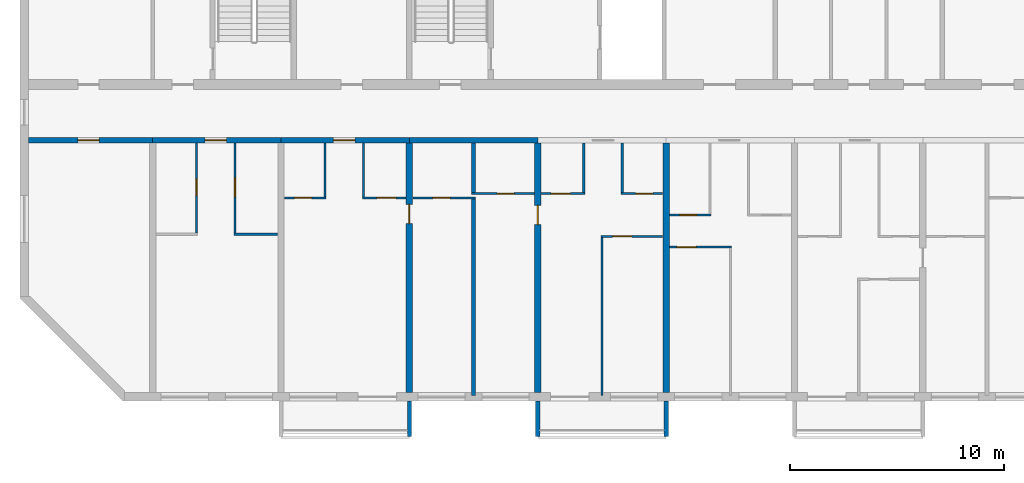
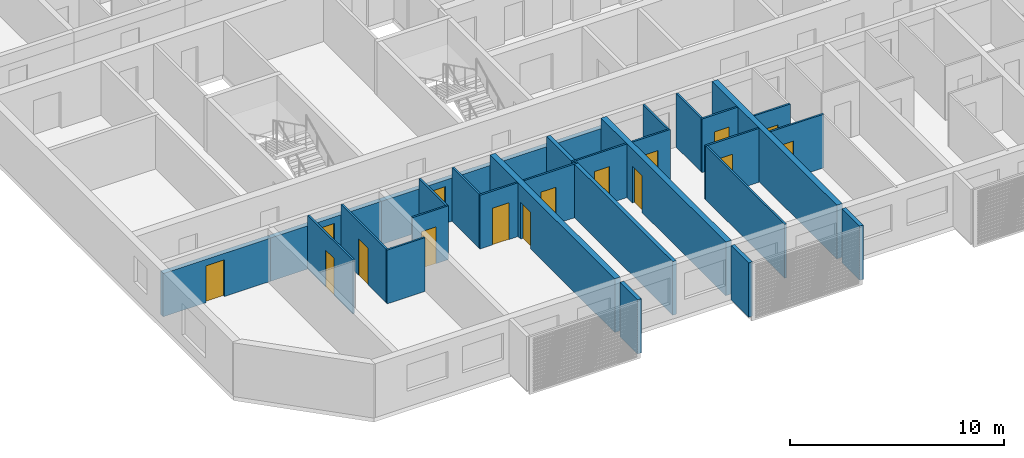
# One storey, part 2 of 33: 29 walls, 16 doors, 16 openings.
"""IFC4 building model written with IfcOpenShell, lengths in metres."""

from ifc_helpers import new_model, si_unit, direction, frame, frame_2d, origin, place, context, subcontext, project, spatial, polyline, rectangle, outline, extrude, source, transform, mapped, material, layer, layer_set, type_object, element, fill, save


model = new_model("IFC4")

# Units and contexts
model_context = context("Model", 3, precision=1e-05, world=origin(), true_north=direction((0.0, 1.0)))
body_context = subcontext(model_context, "Body", "Model", "MODEL_VIEW")
ifc_project = project(units=[si_unit("LENGTHUNIT", "METRE"), si_unit("AREAUNIT", "SQUARE_METRE"), si_unit("VOLUMEUNIT", "CUBIC_METRE"), si_unit("PLANEANGLEUNIT", "RADIAN"), si_unit("MASSUNIT", "GRAM", prefix="KILO")], contexts=[model_context])

# Site, building, storey
site_placement = place(None, origin())
site = spatial("IfcSite", under=ifc_project, at=site_placement, CompositionType="ELEMENT")
building_placement = place(site_placement, origin())
building = spatial("IfcBuilding", under=site, at=building_placement, Name="Poui Terraces", CompositionType="ELEMENT")
storey_placement = place(building_placement, frame((0.0, 0.0, 138.89990234375)))
storey = spatial("IfcBuildingStorey", under=building, at=storey_placement, Name="L38", CompositionType="ELEMENT", Elevation=138.89990234375)

# Wall, opening, door
ifc_material_1 = material(Name="Concrete 65 MPa", Category="concrete")
ifc_layer_1 = layer(ifc_material_1, 0.25)
ifc_layer_set_1 = layer_set([ifc_layer_1], Name="Concrete 65 MPa")
wall_type_1 = type_object("IfcWallType", Name="CORRIDOR WALL 250 65MPa", PredefinedType="SHEAR", material=ifc_layer_set_1)
wall_1_placement = place(storey_placement, frame((12.199951171875, 12.0, 0.0), z_axis=(0.0, 0.0, 1.0), x_axis=(1.0, 0.0, 0.0)))
wall_1 = element("IfcWall", 1, at=wall_1_placement, inside=storey, type_object=wall_type_1, Name="CORRIDOR WALL LINE B BAY 1", PredefinedType="SHEAR", context=body_context, shape_type="SweptSolid", body=[
    extrude(rectangle(XDim=5.800048828125, YDim=0.25, at=frame_2d((2.89990234375, 0.0))), origin(), (0.0, 0.0, 1.0), 2.47021484375),
])
opening_1_placement = place(wall_1_placement, frame((2.300048828125, 0.0, 0.0)))
opening_1 = element("IfcOpeningElement", 2, at=opening_1_placement, cuts=wall_1, Name="Opening D100", PredefinedType="OPENING", context=body_context, shape_type="SweptSolid", body=[
    extrude(rectangle(XDim=1.0, YDim=2.10009765625, at=frame_2d((0.5, 1.050048828125))), frame((0.0, 0.135009765625, 0.0), z_axis=(0.0, -1.0, 0.0), x_axis=(1.0, 0.0, 0.0)), (0.0, 0.0, 1.0), 0.27001953125),
])
ifc_material_2 = material(Name="Solid core timber door", Category="wood")
door_type_1 = type_object("IfcDoorType", Name="ACCESSIBLE INTERNAL DOOR 1000 X 2100", OperationType="NOTDEFINED", PredefinedType="DOOR", material=ifc_material_2)
door_1_placement = place(opening_1_placement, frame((1.0, 0.0, 0.0), z_axis=(0.0, 0.0, 1.0), x_axis=(-1.0, 0.0, 0.0)))
door_1 = element("IfcDoor", 3, at=door_1_placement, inside=storey, type_object=door_type_1, Name="ACCESSIBLE INTERNAL DOOR 074", OperationType="SINGLE_SWING_RIGHT", OverallHeight=2.10009765625, OverallWidth=1.0, PredefinedType="DOOR", context=body_context, shape_type="SweptSolid", body=[
    extrude(rectangle(XDim=1.0, YDim=2.10009765625, at=frame_2d((0.5, 1.050048828125))), frame((0.0, 0.02490234375, 0.0), z_axis=(0.0, -1.0, 0.0), x_axis=(1.0, 0.0, 0.0)), (0.0, 0.0, 1.0), 0.050048828125),
])
fill(opening_1, door_1)

wall_2_placement = place(storey_placement, frame((18.0, 12.0, 0.0), z_axis=(0.0, 0.0, 1.0), x_axis=(1.0, 0.0, 0.0)))
wall_2 = element("IfcWall", 4, at=wall_2_placement, inside=storey, type_object=wall_type_1, Name="CORRIDOR WALL LINE B BAY 2", PredefinedType="SHEAR", context=body_context, shape_type="SweptSolid", body=[
    extrude(rectangle(XDim=6.0, YDim=0.25, at=frame_2d((3.0, 0.0))), origin(), (0.0, 0.0, 1.0), 2.47021484375),
])
opening_2_placement = place(wall_2_placement, frame((2.449951171875, 0.0, 0.0)))
opening_2 = element("IfcOpeningElement", 5, at=opening_2_placement, cuts=wall_2, Name="Opening FD30S", PredefinedType="OPENING", context=body_context, shape_type="SweptSolid", body=[
    extrude(rectangle(XDim=1.0, YDim=2.10009765625, at=frame_2d((0.5, 1.050048828125))), frame((0.0, 0.135009765625, 0.0), z_axis=(0.0, -1.0, 0.0), x_axis=(1.0, 0.0, 0.0)), (0.0, 0.0, 1.0), 0.27001953125),
])
ifc_material_3 = material(Name="Steel fire door", Category="steel")
door_type_2 = type_object("IfcDoorType", Name="FLAT ENTRANCE DOOR 1000 X 2100", OperationType="NOTDEFINED", PredefinedType="DOOR", material=ifc_material_3)
door_2_placement = place(opening_2_placement, frame((1.0, 0.0, 0.0), z_axis=(0.0, 0.0, 1.0), x_axis=(-1.0, 0.0, 0.0)))
door_2 = element("IfcDoor", 6, at=door_2_placement, inside=storey, type_object=door_type_2, Name="FLAT ENTRANCE DOOR 076", OperationType="SINGLE_SWING_RIGHT", OverallHeight=2.10009765625, OverallWidth=1.0, PredefinedType="DOOR", context=body_context, shape_type="SweptSolid", body=[
    extrude(rectangle(XDim=1.0, YDim=2.10009765625, at=frame_2d((0.5, 1.050048828125))), frame((0.0, 0.02490234375, 0.0), z_axis=(0.0, -1.0, 0.0), x_axis=(1.0, 0.0, 0.0)), (0.0, 0.0, 1.0), 0.050048828125),
])
fill(opening_2, door_2)

wall_3_placement = place(storey_placement, frame((24.0, 12.0, 0.0), z_axis=(0.0, 0.0, 1.0), x_axis=(1.0, 0.0, 0.0)))
wall_3 = element("IfcWall", 7, at=wall_3_placement, inside=storey, type_object=wall_type_1, Name="CORRIDOR WALL LINE B BAY 3", PredefinedType="SHEAR", context=body_context, shape_type="SweptSolid", body=[
    extrude(rectangle(XDim=6.0, YDim=0.25, at=frame_2d((3.0, 0.0))), origin(), (0.0, 0.0, 1.0), 2.47021484375),
])
opening_3_placement = place(wall_3_placement, frame((2.449951171875, 0.0, 0.0)))
opening_3 = element("IfcOpeningElement", 8, at=opening_3_placement, cuts=wall_3, Name="Opening FD30S", PredefinedType="OPENING", context=body_context, shape_type="SweptSolid", body=[
    extrude(rectangle(XDim=1.0, YDim=2.10009765625, at=frame_2d((0.5, 1.050048828125))), frame((0.0, 0.135009765625, 0.0), z_axis=(0.0, -1.0, 0.0), x_axis=(1.0, 0.0, 0.0)), (0.0, 0.0, 1.0), 0.27001953125),
])
door_3_placement = place(opening_3_placement, frame((1.0, 0.0, 0.0), z_axis=(0.0, 0.0, 1.0), x_axis=(-1.0, 0.0, 0.0)))
door_3 = element("IfcDoor", 9, at=door_3_placement, inside=storey, type_object=door_type_2, Name="FLAT ENTRANCE DOOR 080", OperationType="SINGLE_SWING_RIGHT", OverallHeight=2.10009765625, OverallWidth=1.0, PredefinedType="DOOR", context=body_context, shape_type="SweptSolid", body=[
    extrude(rectangle(XDim=1.0, YDim=2.10009765625, at=frame_2d((0.5, 1.050048828125))), frame((0.0, 0.02490234375, 0.0), z_axis=(0.0, -1.0, 0.0), x_axis=(1.0, 0.0, 0.0)), (0.0, 0.0, 1.0), 0.050048828125),
])
fill(opening_3, door_3)

# Wall
wall_4_placement = place(storey_placement, frame((30.0, 12.0, 0.0), z_axis=(0.0, 0.0, 1.0), x_axis=(1.0, 0.0, 0.0)))
element("IfcWall", 10, at=wall_4_placement, inside=storey, type_object=wall_type_1, Name="CORRIDOR WALL LINE B BAY 4", PredefinedType="SHEAR", context=body_context, shape_type="SweptSolid", body=[
    extrude(rectangle(XDim=6.0, YDim=0.25, at=frame_2d((3.0, 0.0))), origin(), (0.0, 0.0, 1.0), 2.47021484375),
])

# Wall, opening, door
ifc_layer_2 = layer(ifc_material_1, 0.300048828125)
ifc_layer_set_2 = layer_set([ifc_layer_2], Name="Concrete 65 MPa")
wall_type_2 = type_object("IfcWallType", Name="CROSS WALL 300 65MPa", PredefinedType="SHEAR", material=ifc_layer_set_2)
wall_5_placement = place(storey_placement, frame((30.0, 0.199951171875, 0.0), z_axis=(0.0, 0.0, 1.0), x_axis=(0.0, 1.0, 0.0)))
wall_5 = element("IfcWall", 11, at=wall_5_placement, inside=storey, type_object=wall_type_2, Name="CROSS WALL LINE 6 SOUTH", PredefinedType="SHEAR", context=body_context, shape_type="SweptSolid", body=[
    extrude(rectangle(XDim=11.675048828125, YDim=0.300048828125, at=frame_2d((5.83740234375, 0.0))), origin(), (0.0, 0.0, 1.0), 3.070068359375),
])
opening_4_placement = place(wall_5_placement, frame((7.89990234375, 0.0, 0.0)))
opening_4 = element("IfcOpeningElement", 12, at=opening_4_placement, cuts=wall_5, Name="Opening D90", PredefinedType="OPENING", context=body_context, shape_type="SweptSolid", body=[
    extrude(rectangle(XDim=0.89990234375, YDim=2.10009765625, at=frame_2d((0.449951171875, 1.050048828125))), frame((0.0, 0.16015625, 0.0), z_axis=(0.0, -1.0, 0.0), x_axis=(1.0, 0.0, 0.0)), (0.0, 0.0, 1.0), 0.320068359375),
])
door_type_3 = type_object("IfcDoorType", Name="INTERNAL DOOR 900 X 2100", OperationType="NOTDEFINED", PredefinedType="DOOR", material=ifc_material_2)
door_4_placement = place(opening_4_placement, frame((0.89990234375, 0.0, 0.0), z_axis=(0.0, 0.0, 1.0), x_axis=(-1.0, 0.0, 0.0)))
door_4 = element("IfcDoor", 13, at=door_4_placement, inside=storey, type_object=door_type_3, Name="INTERNAL DOOR 082", OperationType="SINGLE_SWING_LEFT", OverallHeight=2.10009765625, OverallWidth=0.89990234375, PredefinedType="DOOR", context=body_context, shape_type="SweptSolid", body=[
    extrude(rectangle(XDim=0.89990234375, YDim=2.10009765625, at=frame_2d((0.449951171875, 1.050048828125))), frame((0.0, 0.02490234375, 0.0), z_axis=(0.0, -1.0, 0.0), x_axis=(1.0, 0.0, 0.0)), (0.0, 0.0, 1.0), 0.050048828125),
])
fill(opening_4, door_4)

wall_6_placement = place(storey_placement, frame((36.0, 0.199951171875, 0.0), z_axis=(0.0, 0.0, 1.0), x_axis=(0.0, 1.0, 0.0)))
wall_6 = element("IfcWall", 14, at=wall_6_placement, inside=storey, type_object=wall_type_2, Name="CROSS WALL LINE 7 SOUTH", PredefinedType="SHEAR", context=body_context, shape_type="SweptSolid", body=[
    extrude(rectangle(XDim=11.675048828125, YDim=0.300048828125, at=frame_2d((5.83740234375, 0.0))), origin(), (0.0, 0.0, 1.0), 3.070068359375),
])
opening_5_placement = place(wall_6_placement, frame((7.85009765625, 0.0, 0.0)))
opening_5 = element("IfcOpeningElement", 15, at=opening_5_placement, cuts=wall_6, Name="Opening D90", PredefinedType="OPENING", context=body_context, shape_type="SweptSolid", body=[
    extrude(rectangle(XDim=0.89990234375, YDim=2.10009765625, at=frame_2d((0.449951171875, 1.050048828125))), frame((0.0, 0.16015625, 0.0), z_axis=(0.0, -1.0, 0.0), x_axis=(1.0, 0.0, 0.0)), (0.0, 0.0, 1.0), 0.320068359375),
])
door_5_placement = place(opening_5_placement, origin())
door_5 = element("IfcDoor", 16, at=door_5_placement, inside=storey, type_object=door_type_3, Name="INTERNAL DOOR 084", OperationType="SINGLE_SWING_RIGHT", OverallHeight=2.10009765625, OverallWidth=0.89990234375, PredefinedType="DOOR", context=body_context, shape_type="SweptSolid", body=[
    extrude(rectangle(XDim=0.89990234375, YDim=2.10009765625, at=frame_2d((0.449951171875, 1.050048828125))), frame((0.0, 0.02490234375, 0.0), z_axis=(0.0, -1.0, 0.0), x_axis=(1.0, 0.0, 0.0)), (0.0, 0.0, 1.0), 0.050048828125),
])
fill(opening_5, door_5)

# Wall
wall_7_placement = place(storey_placement, frame((42.0, 0.199951171875, 0.0), z_axis=(0.0, 0.0, 1.0), x_axis=(0.0, 1.0, 0.0)))
element("IfcWall", 17, at=wall_7_placement, inside=storey, type_object=wall_type_2, Name="CROSS WALL LINE 8 SOUTH", PredefinedType="SHEAR", context=body_context, shape_type="SweptSolid", body=[
    extrude(rectangle(XDim=11.675048828125, YDim=0.300048828125, at=frame_2d((5.83740234375, 0.0))), origin(), (0.0, 0.0, 1.0), 3.070068359375),
])

# Wall, opening, door
ifc_material_4 = material(Name="Plasterboard partition")
ifc_layer_3 = layer(ifc_material_4, 0.10009765625)
ifc_layer_set_3 = layer_set([ifc_layer_3], Name="Plasterboard partition")
wall_type_3 = type_object("IfcWallType", Name="FLAT PARTITION 100", PredefinedType="PARTITIONING", material=ifc_layer_set_3)
wall_8_placement = place(storey_placement, frame((42.159912109375, 7.0, 0.0), z_axis=(0.0, 0.0, 1.0), x_axis=(1.0, 0.0, 0.0)))
wall_8 = element("IfcWall", 18, at=wall_8_placement, inside=storey, type_object=wall_type_3, Name="FLAT PARTITION 100", PredefinedType="PARTITIONING", context=body_context, shape_type="SweptSolid", body=[
    extrude(rectangle(XDim=2.89013671875, YDim=0.10009765625, at=frame_2d((1.445068359375, 0.0))), origin(), (0.0, 0.0, 1.0), 3.070068359375),
])
opening_6_placement = place(wall_8_placement, frame((0.340087890625, 0.0, 0.0)))
opening_6 = element("IfcOpeningElement", 19, at=opening_6_placement, cuts=wall_8, Name="Opening D90", PredefinedType="OPENING", context=body_context, shape_type="SweptSolid", body=[
    extrude(rectangle(XDim=0.89990234375, YDim=2.10009765625, at=frame_2d((0.449951171875, 1.050048828125))), frame((0.0, 0.06005859375, 0.0), z_axis=(0.0, -1.0, 0.0), x_axis=(1.0, 0.0, 0.0)), (0.0, 0.0, 1.0), 0.1201171875),
])
door_6_placement = place(opening_6_placement, origin())
door_6 = element("IfcDoor", 20, at=door_6_placement, inside=storey, type_object=door_type_3, Name="INTERNAL DOOR 089", OperationType="SINGLE_SWING_RIGHT", OverallHeight=2.10009765625, OverallWidth=0.89990234375, PredefinedType="DOOR", context=body_context, shape_type="SweptSolid", body=[
    extrude(rectangle(XDim=0.89990234375, YDim=2.10009765625, at=frame_2d((0.449951171875, 1.050048828125))), frame((0.0, 0.02490234375, 0.0), z_axis=(0.0, -1.0, 0.0), x_axis=(1.0, 0.0, 0.0)), (0.0, 0.0, 1.0), 0.050048828125),
])
fill(opening_6, door_6)

wall_9_placement = place(storey_placement, frame((38.949951171875, 7.5, 0.0), z_axis=(0.0, 0.0, 1.0), x_axis=(1.0, 0.0, 0.0)))
wall_9 = element("IfcWall", 21, at=wall_9_placement, inside=storey, type_object=wall_type_3, Name="FLAT PARTITION 100", PredefinedType="PARTITIONING", context=body_context, shape_type="SweptSolid", body=[
    extrude(rectangle(XDim=2.89013671875, YDim=0.10009765625, at=frame_2d((1.445068359375, 0.0))), origin(), (0.0, 0.0, 1.0), 3.070068359375),
])
opening_7_placement = place(wall_9_placement, frame((0.550048828125, 0.0, 0.0)))
opening_7 = element("IfcOpeningElement", 22, at=opening_7_placement, cuts=wall_9, Name="Opening D90", PredefinedType="OPENING", context=body_context, shape_type="SweptSolid", body=[
    extrude(rectangle(XDim=0.89990234375, YDim=2.10009765625, at=frame_2d((0.449951171875, 1.050048828125))), frame((0.0, 0.06005859375, 0.0), z_axis=(0.0, -1.0, 0.0), x_axis=(1.0, 0.0, 0.0)), (0.0, 0.0, 1.0), 0.1201171875),
])
door_7_placement = place(opening_7_placement, origin())
door_7 = element("IfcDoor", 23, at=door_7_placement, inside=storey, type_object=door_type_3, Name="INTERNAL DOOR 087", OperationType="SINGLE_SWING_RIGHT", OverallHeight=2.10009765625, OverallWidth=0.89990234375, PredefinedType="DOOR", context=body_context, shape_type="SweptSolid", body=[
    extrude(rectangle(XDim=0.89990234375, YDim=2.10009765625, at=frame_2d((0.449951171875, 1.050048828125))), frame((0.0, 0.02490234375, 0.0), z_axis=(0.0, -1.0, 0.0), x_axis=(1.0, 0.0, 0.0)), (0.0, 0.0, 1.0), 0.050048828125),
])
fill(opening_7, door_7)

# Wall
wall_10_placement = place(storey_placement, frame((21.800048828125, 7.60009765625, 0.0), z_axis=(0.0, 0.0, 1.0), x_axis=(1.0, 0.0, 0.0)))
element("IfcWall", 24, at=wall_10_placement, inside=storey, type_object=wall_type_3, Name="FLAT PARTITION 100", PredefinedType="PARTITIONING", context=body_context, shape_type="SweptSolid", body=[
    extrude(rectangle(XDim=2.0400390625, YDim=0.10009765625, at=frame_2d((1.02001953125, 0.0))), origin(), (0.0, 0.0, 1.0), 3.070068359375),
])

# Wall, opening, door
wall_11_placement = place(storey_placement, frame((42.159912109375, 8.5, 0.0), z_axis=(0.0, 0.0, 1.0), x_axis=(1.0, 0.0, 0.0)))
wall_11 = element("IfcWall", 25, at=wall_11_placement, inside=storey, type_object=wall_type_3, Name="FLAT PARTITION 100", PredefinedType="PARTITIONING", context=body_context, shape_type="SweptSolid", body=[
    extrude(rectangle(XDim=1.940185546875, YDim=0.10009765625, at=frame_2d((0.97021484375, 0.0))), origin(), (0.0, 0.0, 1.0), 3.070068359375),
])
opening_8_placement = place(wall_11_placement, frame((0.465087890625, 0.0, 0.0)))
opening_8 = element("IfcOpeningElement", 26, at=opening_8_placement, cuts=wall_11, Name="Opening D80", PredefinedType="OPENING", context=body_context, shape_type="SweptSolid", body=[
    extrude(rectangle(XDim=0.800048828125, YDim=2.10009765625, at=frame_2d((0.39990234375, 1.050048828125))), frame((0.0, 0.06005859375, 0.0), z_axis=(0.0, -1.0, 0.0), x_axis=(1.0, 0.0, 0.0)), (0.0, 0.0, 1.0), 0.1201171875),
])
door_type_4 = type_object("IfcDoorType", Name="BATHROOM, LAUNDRY AND STORE DOOR 800 X 2100", OperationType="NOTDEFINED", PredefinedType="DOOR", material=ifc_material_2)
door_8_placement = place(opening_8_placement, origin())
door_8 = element("IfcDoor", 27, at=door_8_placement, inside=storey, type_object=door_type_4, Name="BATHROOM, LAUNDRY AND STORE DOOR 090", OperationType="SINGLE_SWING_LEFT", OverallHeight=2.10009765625, OverallWidth=0.800048828125, PredefinedType="DOOR", context=body_context, shape_type="SweptSolid", body=[
    extrude(rectangle(XDim=0.800048828125, YDim=2.10009765625, at=frame_2d((0.39990234375, 1.050048828125))), frame((0.0, 0.02490234375, 0.0), z_axis=(0.0, -1.0, 0.0), x_axis=(1.0, 0.0, 0.0)), (0.0, 0.0, 1.0), 0.050048828125),
])
fill(opening_8, door_8)

wall_12_placement = place(storey_placement, frame((24.159912109375, 9.300048828125, 0.0), z_axis=(0.0, 0.0, 1.0), x_axis=(1.0, 0.0, 0.0)))
wall_12 = element("IfcWall", 28, at=wall_12_placement, inside=storey, type_object=wall_type_3, Name="FLAT PARTITION 100", PredefinedType="PARTITIONING", context=body_context, shape_type="SweptSolid", body=[
    extrude(rectangle(XDim=1.940185546875, YDim=0.10009765625, at=frame_2d((0.97021484375, 0.0))), origin(), (0.0, 0.0, 1.0), 3.070068359375),
])
opening_9_placement = place(wall_12_placement, frame((0.465087890625, 0.0, 0.0)))
opening_9 = element("IfcOpeningElement", 29, at=opening_9_placement, cuts=wall_12, Name="Opening D80", PredefinedType="OPENING", context=body_context, shape_type="SweptSolid", body=[
    extrude(rectangle(XDim=0.800048828125, YDim=2.10009765625, at=frame_2d((0.39990234375, 1.050048828125))), frame((0.0, 0.06005859375, 0.0), z_axis=(0.0, -1.0, 0.0), x_axis=(1.0, 0.0, 0.0)), (0.0, 0.0, 1.0), 0.1201171875),
])
door_9_placement = place(opening_9_placement, origin())
door_9 = element("IfcDoor", 30, at=door_9_placement, inside=storey, type_object=door_type_4, Name="BATHROOM, LAUNDRY AND STORE DOOR 079", OperationType="SINGLE_SWING_RIGHT", OverallHeight=2.10009765625, OverallWidth=0.800048828125, PredefinedType="DOOR", context=body_context, shape_type="SweptSolid", body=[
    extrude(rectangle(XDim=0.800048828125, YDim=2.10009765625, at=frame_2d((0.39990234375, 1.050048828125))), frame((0.0, 0.02490234375, 0.0), z_axis=(0.0, -1.0, 0.0), x_axis=(1.0, 0.0, 0.0)), (0.0, 0.0, 1.0), 0.050048828125),
])
fill(opening_9, door_9)

wall_13_placement = place(storey_placement, frame((27.800048828125, 9.300048828125, 0.0), z_axis=(0.0, 0.0, 1.0), x_axis=(1.0, 0.0, 0.0)))
wall_13 = element("IfcWall", 31, at=wall_13_placement, inside=storey, type_object=wall_type_3, Name="FLAT PARTITION 100", PredefinedType="PARTITIONING", context=body_context, shape_type="SweptSolid", body=[
    extrude(rectangle(XDim=2.0400390625, YDim=0.10009765625, at=frame_2d((1.02001953125, 0.0))), origin(), (0.0, 0.0, 1.0), 3.070068359375),
])
opening_10_placement = place(wall_13_placement, frame((0.675048828125, 0.0, 0.0)))
opening_10 = element("IfcOpeningElement", 32, at=opening_10_placement, cuts=wall_13, Name="Opening D90", PredefinedType="OPENING", context=body_context, shape_type="SweptSolid", body=[
    extrude(rectangle(XDim=0.89990234375, YDim=2.10009765625, at=frame_2d((0.449951171875, 1.050048828125))), frame((0.0, 0.06005859375, 0.0), z_axis=(0.0, -1.0, 0.0), x_axis=(1.0, 0.0, 0.0)), (0.0, 0.0, 1.0), 0.1201171875),
])
door_10_placement = place(opening_10_placement, origin())
door_10 = element("IfcDoor", 33, at=door_10_placement, inside=storey, type_object=door_type_3, Name="INTERNAL DOOR 081", OperationType="SINGLE_SWING_LEFT", OverallHeight=2.10009765625, OverallWidth=0.89990234375, PredefinedType="DOOR", context=body_context, shape_type="SweptSolid", body=[
    extrude(rectangle(XDim=0.89990234375, YDim=2.10009765625, at=frame_2d((0.449951171875, 1.050048828125))), frame((0.0, 0.02490234375, 0.0), z_axis=(0.0, -1.0, 0.0), x_axis=(1.0, 0.0, 0.0)), (0.0, 0.0, 1.0), 0.050048828125),
])
fill(opening_10, door_10)

wall_14_placement = place(storey_placement, frame((30.159912109375, 9.300048828125, 0.0), z_axis=(0.0, 0.0, 1.0), x_axis=(1.0, 0.0, 0.0)))
wall_14 = element("IfcWall", 34, at=wall_14_placement, inside=storey, type_object=wall_type_3, Name="FLAT PARTITION 100", PredefinedType="PARTITIONING", context=body_context, shape_type="SweptSolid", body=[
    extrude(rectangle(XDim=2.940185546875, YDim=0.10009765625, at=frame_2d((1.47021484375, 0.0))), origin(), (0.0, 0.0, 1.0), 3.070068359375),
])
opening_11_placement = place(wall_14_placement, frame((0.93994140625, 0.0, 0.0)))
opening_11 = element("IfcOpeningElement", 35, at=opening_11_placement, cuts=wall_14, Name="Opening D80", PredefinedType="OPENING", context=body_context, shape_type="SweptSolid", body=[
    extrude(rectangle(XDim=0.800048828125, YDim=2.10009765625, at=frame_2d((0.39990234375, 1.050048828125))), frame((0.0, 0.06005859375, 0.0), z_axis=(0.0, -1.0, 0.0), x_axis=(1.0, 0.0, 0.0)), (0.0, 0.0, 1.0), 0.1201171875),
])
door_11_placement = place(opening_11_placement, origin())
door_11 = element("IfcDoor", 36, at=door_11_placement, inside=storey, type_object=door_type_4, Name="BATHROOM, LAUNDRY AND STORE DOOR 078", OperationType="SINGLE_SWING_LEFT", OverallHeight=2.10009765625, OverallWidth=0.800048828125, PredefinedType="DOOR", context=body_context, shape_type="SweptSolid", body=[
    extrude(rectangle(XDim=0.800048828125, YDim=2.10009765625, at=frame_2d((0.39990234375, 1.050048828125))), frame((0.0, 0.02490234375, 0.0), z_axis=(0.0, -1.0, 0.0), x_axis=(1.0, 0.0, 0.0)), (0.0, 0.0, 1.0), 0.050048828125),
])
fill(opening_11, door_11)

wall_15_placement = place(storey_placement, frame((32.89990234375, 9.5, 0.0), z_axis=(0.0, 0.0, 1.0), x_axis=(1.0, 0.0, 0.0)))
wall_15 = element("IfcWall", 37, at=wall_15_placement, inside=storey, type_object=wall_type_3, Name="FLAT PARTITION 100", PredefinedType="PARTITIONING", context=body_context, shape_type="SweptSolid", body=[
    extrude(rectangle(XDim=2.940185546875, YDim=0.10009765625, at=frame_2d((1.47021484375, 0.0))), origin(), (0.0, 0.0, 1.0), 3.070068359375),
])
opening_12_placement = place(wall_15_placement, frame((1.199951171875, 0.0, 0.0)))
opening_12 = element("IfcOpeningElement", 38, at=opening_12_placement, cuts=wall_15, Name="Opening D80", PredefinedType="OPENING", context=body_context, shape_type="SweptSolid", body=[
    extrude(rectangle(XDim=0.800048828125, YDim=2.10009765625, at=frame_2d((0.39990234375, 1.050048828125))), frame((0.0, 0.06005859375, 0.0), z_axis=(0.0, -1.0, 0.0), x_axis=(1.0, 0.0, 0.0)), (0.0, 0.0, 1.0), 0.1201171875),
])
door_12_placement = place(opening_12_placement, origin())
door_12 = element("IfcDoor", 39, at=door_12_placement, inside=storey, type_object=door_type_4, Name="BATHROOM, LAUNDRY AND STORE DOOR 083", OperationType="SINGLE_SWING_RIGHT", OverallHeight=2.10009765625, OverallWidth=0.800048828125, PredefinedType="DOOR", context=body_context, shape_type="SweptSolid", body=[
    extrude(rectangle(XDim=0.800048828125, YDim=2.10009765625, at=frame_2d((0.39990234375, 1.050048828125))), frame((0.0, 0.02490234375, 0.0), z_axis=(0.0, -1.0, 0.0), x_axis=(1.0, 0.0, 0.0)), (0.0, 0.0, 1.0), 0.050048828125),
])
fill(opening_12, door_12)

wall_16_placement = place(storey_placement, frame((36.159912109375, 9.5, 0.0), z_axis=(0.0, 0.0, 1.0), x_axis=(1.0, 0.0, 0.0)))
wall_16 = element("IfcWall", 40, at=wall_16_placement, inside=storey, type_object=wall_type_3, Name="FLAT PARTITION 100", PredefinedType="PARTITIONING", context=body_context, shape_type="SweptSolid", body=[
    extrude(rectangle(XDim=2.0400390625, YDim=0.10009765625, at=frame_2d((1.02001953125, 0.0))), origin(), (0.0, 0.0, 1.0), 3.070068359375),
])
opening_13_placement = place(wall_16_placement, frame((0.465087890625, 0.0, 0.0)))
opening_13 = element("IfcOpeningElement", 41, at=opening_13_placement, cuts=wall_16, Name="Opening D90", PredefinedType="OPENING", context=body_context, shape_type="SweptSolid", body=[
    extrude(rectangle(XDim=0.89990234375, YDim=2.10009765625, at=frame_2d((0.449951171875, 1.050048828125))), frame((0.0, 0.06005859375, 0.0), z_axis=(0.0, -1.0, 0.0), x_axis=(1.0, 0.0, 0.0)), (0.0, 0.0, 1.0), 0.1201171875),
])
door_13_placement = place(opening_13_placement, origin())
door_13 = element("IfcDoor", 42, at=door_13_placement, inside=storey, type_object=door_type_3, Name="INTERNAL DOOR 085", OperationType="SINGLE_SWING_RIGHT", OverallHeight=2.10009765625, OverallWidth=0.89990234375, PredefinedType="DOOR", context=body_context, shape_type="SweptSolid", body=[
    extrude(rectangle(XDim=0.89990234375, YDim=2.10009765625, at=frame_2d((0.449951171875, 1.050048828125))), frame((0.0, 0.02490234375, 0.0), z_axis=(0.0, -1.0, 0.0), x_axis=(1.0, 0.0, 0.0)), (0.0, 0.0, 1.0), 0.050048828125),
])
fill(opening_13, door_13)

wall_17_placement = place(storey_placement, frame((39.89990234375, 9.5, 0.0), z_axis=(0.0, 0.0, 1.0), x_axis=(1.0, 0.0, 0.0)))
wall_17 = element("IfcWall", 43, at=wall_17_placement, inside=storey, type_object=wall_type_3, Name="FLAT PARTITION 100", PredefinedType="PARTITIONING", context=body_context, shape_type="SweptSolid", body=[
    extrude(rectangle(XDim=1.940185546875, YDim=0.10009765625, at=frame_2d((0.97021484375, 0.0))), origin(), (0.0, 0.0, 1.0), 3.070068359375),
])
opening_14_placement = place(wall_17_placement, frame((0.675048828125, 0.0, 0.0)))
opening_14 = element("IfcOpeningElement", 44, at=opening_14_placement, cuts=wall_17, Name="Opening D80", PredefinedType="OPENING", context=body_context, shape_type="SweptSolid", body=[
    extrude(rectangle(XDim=0.800048828125, YDim=2.10009765625, at=frame_2d((0.39990234375, 1.050048828125))), frame((0.0, 0.06005859375, 0.0), z_axis=(0.0, -1.0, 0.0), x_axis=(1.0, 0.0, 0.0)), (0.0, 0.0, 1.0), 0.1201171875),
])
door_14_placement = place(opening_14_placement, origin())
door_14 = element("IfcDoor", 45, at=door_14_placement, inside=storey, type_object=door_type_4, Name="BATHROOM, LAUNDRY AND STORE DOOR 088", OperationType="SINGLE_SWING_LEFT", OverallHeight=2.10009765625, OverallWidth=0.800048828125, PredefinedType="DOOR", context=body_context, shape_type="SweptSolid", body=[
    extrude(rectangle(XDim=0.800048828125, YDim=2.10009765625, at=frame_2d((0.39990234375, 1.050048828125))), frame((0.0, 0.02490234375, 0.0), z_axis=(0.0, -1.0, 0.0), x_axis=(1.0, 0.0, 0.0)), (0.0, 0.0, 1.0), 0.050048828125),
])
fill(opening_14, door_14)

wall_18_placement = place(storey_placement, frame((20.050048828125, 7.64990234375, 0.0), z_axis=(0.0, 0.0, 1.0), x_axis=(0.0, 1.0, 0.0)))
wall_18 = element("IfcWall", 46, at=wall_18_placement, inside=storey, type_object=wall_type_3, Name="FLAT PARTITION 100", PredefinedType="PARTITIONING", context=body_context, shape_type="SweptSolid", body=[
    extrude(rectangle(XDim=4.215087890625, YDim=0.10009765625, at=frame_2d((2.107421875, 0.0))), origin(), (0.0, 0.0, 1.0), 3.070068359375),
])
opening_15_placement = place(wall_18_placement, frame((1.75, 0.0, 0.0)))
opening_15 = element("IfcOpeningElement", 47, at=opening_15_placement, cuts=wall_18, Name="Opening D80", PredefinedType="OPENING", context=body_context, shape_type="SweptSolid", body=[
    extrude(rectangle(XDim=0.800048828125, YDim=2.10009765625, at=frame_2d((0.39990234375, 1.050048828125))), frame((0.0, 0.06005859375, 0.0), z_axis=(0.0, -1.0, 0.0), x_axis=(1.0, 0.0, 0.0)), (0.0, 0.0, 1.0), 0.1201171875),
])
door_15_placement = place(opening_15_placement, origin())
door_15 = element("IfcDoor", 48, at=door_15_placement, inside=storey, type_object=door_type_4, Name="BATHROOM, LAUNDRY AND STORE DOOR 075", OperationType="SINGLE_SWING_LEFT", OverallHeight=2.10009765625, OverallWidth=0.800048828125, PredefinedType="DOOR", context=body_context, shape_type="SweptSolid", body=[
    extrude(rectangle(XDim=0.800048828125, YDim=2.10009765625, at=frame_2d((0.39990234375, 1.050048828125))), frame((0.0, 0.02490234375, 0.0), z_axis=(0.0, -1.0, 0.0), x_axis=(1.0, 0.0, 0.0)), (0.0, 0.0, 1.0), 0.050048828125),
])
fill(opening_15, door_15)

wall_19_placement = place(storey_placement, frame((21.85009765625, 7.64990234375, 0.0), z_axis=(0.0, 0.0, 1.0), x_axis=(0.0, 1.0, 0.0)))
wall_19 = element("IfcWall", 49, at=wall_19_placement, inside=storey, type_object=wall_type_3, Name="FLAT PARTITION 100", PredefinedType="PARTITIONING", context=body_context, shape_type="SweptSolid", body=[
    extrude(rectangle(XDim=4.215087890625, YDim=0.10009765625, at=frame_2d((2.107421875, 0.0))), origin(), (0.0, 0.0, 1.0), 3.070068359375),
])
opening_16_placement = place(wall_19_placement, frame((1.699951171875, 0.0, 0.0)))
opening_16 = element("IfcOpeningElement", 50, at=opening_16_placement, cuts=wall_19, Name="Opening D90", PredefinedType="OPENING", context=body_context, shape_type="SweptSolid", body=[
    extrude(rectangle(XDim=0.89990234375, YDim=2.10009765625, at=frame_2d((0.449951171875, 1.050048828125))), frame((0.0, 0.06005859375, 0.0), z_axis=(0.0, -1.0, 0.0), x_axis=(1.0, 0.0, 0.0)), (0.0, 0.0, 1.0), 0.1201171875),
])
door_16_placement = place(opening_16_placement, frame((0.89990234375, 0.0, 0.0), z_axis=(0.0, 0.0, 1.0), x_axis=(-1.0, 0.0, 0.0)))
door_16 = element("IfcDoor", 51, at=door_16_placement, inside=storey, type_object=door_type_3, Name="INTERNAL DOOR 077", OperationType="SINGLE_SWING_LEFT", OverallHeight=2.10009765625, OverallWidth=0.89990234375, PredefinedType="DOOR", context=body_context, shape_type="SweptSolid", body=[
    extrude(rectangle(XDim=0.89990234375, YDim=2.10009765625, at=frame_2d((0.449951171875, 1.050048828125))), frame((0.0, 0.02490234375, 0.0), z_axis=(0.0, -1.0, 0.0), x_axis=(1.0, 0.0, 0.0)), (0.0, 0.0, 1.0), 0.050048828125),
])
fill(opening_16, door_16)

# Walls
for number, where, z_axis, x_axis, name in (
    (52, (26.050048828125, 9.35009765625, 0.0), (0.0, 0.0, 1.0), (0.0, 1.0, 0.0), "FLAT PARTITION 100"),
    (53, (27.85009765625, 9.35009765625, 0.0), (0.0, 0.0, 1.0), (0.0, 1.0, 0.0), "FLAT PARTITION 100"),
):
    element("IfcWall", number, at=place(storey_placement, frame(where, z_axis=z_axis, x_axis=x_axis)), inside=storey, type_object=wall_type_3, Name=name, PredefinedType="PARTITIONING", context=body_context, shape_type="SweptSolid", body=[
        extrude(rectangle(XDim=2.514892578125, YDim=0.10009765625, at=frame_2d((1.25732421875, 0.0))), origin(), (0.0, 0.0, 1.0), 3.070068359375),
    ])
wall_20_placement = place(storey_placement, frame((38.14990234375, 9.550048828125, 0.0), z_axis=(0.0, 0.0, 1.0), x_axis=(0.0, 1.0, 0.0)))
element("IfcWall", 54, at=wall_20_placement, inside=storey, type_object=wall_type_3, Name="FLAT PARTITION 100", PredefinedType="PARTITIONING", context=body_context, shape_type="SweptSolid", body=[
    extrude(rectangle(XDim=2.31494140625, YDim=0.10009765625, at=frame_2d((1.157470703125, 0.0))), origin(), (0.0, 0.0, 1.0), 3.070068359375),
])
wall_21_placement = place(storey_placement, frame((39.0, 0.06005859375, 0.0), z_axis=(0.0, 0.0, 1.0), x_axis=(0.0, 1.0, 0.0)))
element("IfcWall", 55, at=wall_21_placement, inside=storey, type_object=wall_type_3, Name="FLAT PARTITION 100", PredefinedType="PARTITIONING", context=body_context, shape_type="SweptSolid", body=[
    extrude(rectangle(XDim=7.389892578125, YDim=0.10009765625, at=frame_2d((3.69482421875, 0.0))), origin(), (0.0, 0.0, 1.0), 3.070068359375),
])
wall_22_placement = place(storey_placement, frame((39.949951171875, 9.550048828125, 0.0), z_axis=(0.0, 0.0, 1.0), x_axis=(0.0, 1.0, 0.0)))
element("IfcWall", 56, at=wall_22_placement, inside=storey, type_object=wall_type_3, Name="FLAT PARTITION 100", PredefinedType="PARTITIONING", context=body_context, shape_type="SweptSolid", body=[
    extrude(rectangle(XDim=2.31494140625, YDim=0.10009765625, at=frame_2d((1.157470703125, 0.0))), origin(), (0.0, 0.0, 1.0), 3.070068359375),
])
ifc_material_5 = material(Name="Fire-rated masonry wall", Category="masonry")
ifc_layer_4 = layer(ifc_material_5, 0.199951171875)
ifc_layer_set_4 = layer_set([ifc_layer_4], Name="Fire-rated masonry wall")
wall_type_4 = type_object("IfcWallType", Name="FLAT PARTY WALL 200", PredefinedType="PARTITIONING", material=ifc_layer_set_4)
wall_23_placement = place(storey_placement, frame((33.0, 0.06005859375, 0.0), z_axis=(0.0, 0.0, 1.0), x_axis=(0.0, 1.0, 0.0)))
element("IfcWall", 57, at=wall_23_placement, inside=storey, type_object=wall_type_4, Name="FLAT PARTY WALL 200", PredefinedType="PARTITIONING", context=body_context, shape_type="SweptSolid", body=[
    extrude(rectangle(XDim=9.18994140625, YDim=0.199951171875, at=frame_2d((4.594970703125, 0.0))), origin(), (0.0, 0.0, 1.0), 3.070068359375),
])
wall_24_placement = place(storey_placement, frame((33.0, 9.550048828125, 0.0), z_axis=(0.0, 0.0, 1.0), x_axis=(0.0, 1.0, 0.0)))
element("IfcWall", 58, at=wall_24_placement, inside=storey, type_object=wall_type_4, Name="FLAT PARTY WALL 200", PredefinedType="PARTITIONING", context=body_context, shape_type="SweptSolid", body=[
    extrude(rectangle(XDim=2.31494140625, YDim=0.199951171875, at=frame_2d((1.157470703125, 0.0))), origin(), (0.0, 0.0, 1.0), 3.070068359375),
])
ifc_material_6 = material(Name="Precast concrete 40 MPa", Category="concrete")
ifc_layer_5 = layer(ifc_material_6, 0.199951171875)
ifc_layer_set_5 = layer_set([ifc_layer_5], Name="Precast concrete 40 MPa")
wall_type_5 = type_object("IfcWallType", Name="REAR FIN 200", PredefinedType="STANDARD", material=ifc_layer_set_5)
shared_shape = source(origin(), body_context, "Body", "SweptSolid", [
    extrude(outline(polyline([(0.0, 0.0), (0.2001953125, 0.0), (0.2001953125, 1.650146484375), (0.0, 1.650146484375), (0.0, 0.0)])), origin(), (0.0, 0.0, 1.0), 3.10009765625),
])
for number, where, name in (
    (59, (29.89990234375, -1.85009765625, 0.0), "REAR FIN"),
    (60, (35.89990234375, -1.85009765625, 0.0), "REAR FIN"),
    (61, (41.89990234375, -1.85009765625, 0.0), "REAR FIN"),
):
    element("IfcWall", number, at=place(storey_placement, frame(where)), inside=storey, type_object=wall_type_5, Name=name, PredefinedType="STANDARD", context=body_context, shape_type="MappedRepresentation", body=[
        mapped(shared_shape, transform((0.0, 0.0, 0.0))),
    ])

save(model, "model.ifc")
